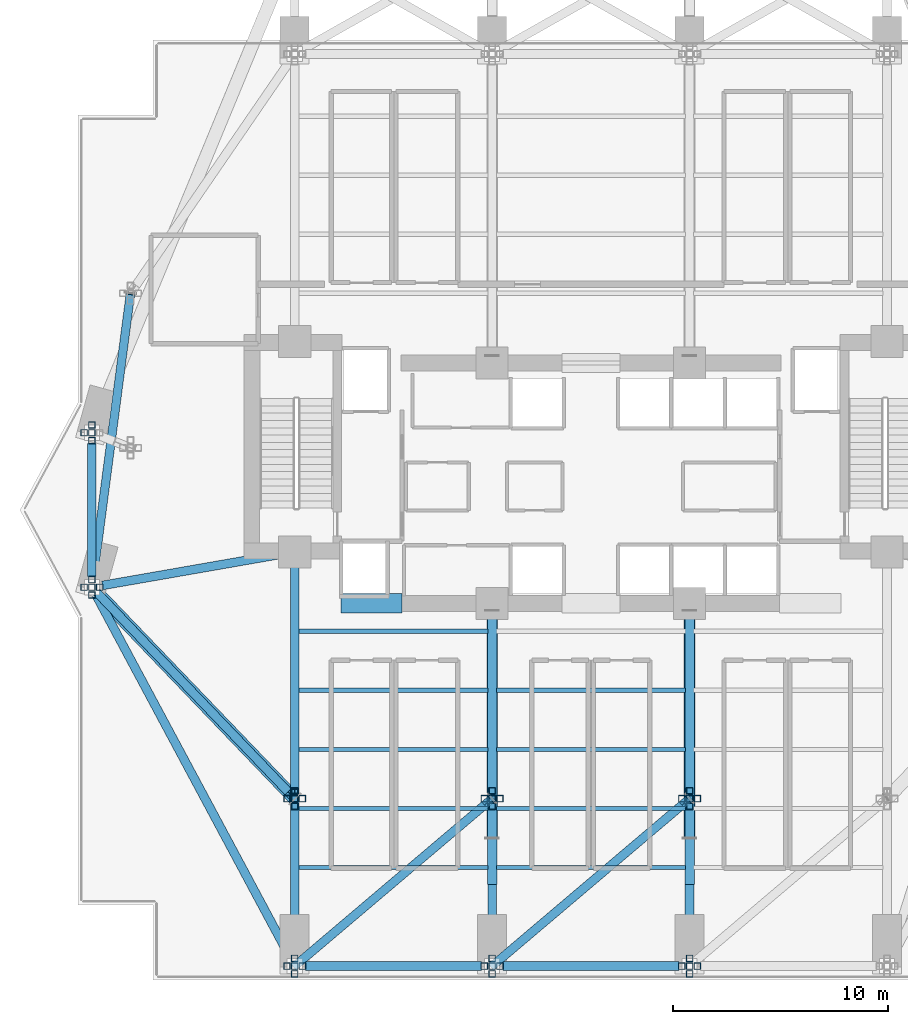
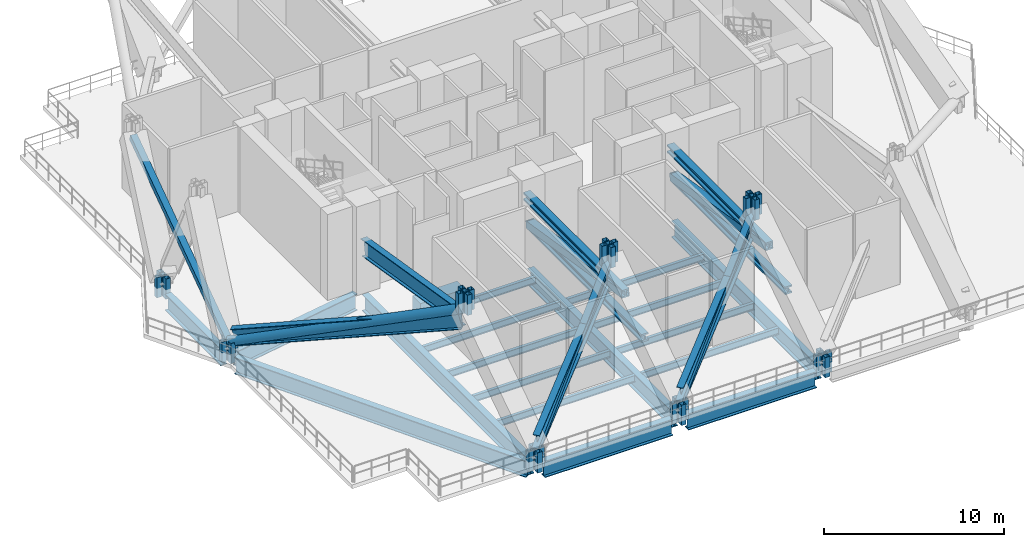
# One storey, part 2 of 18: 49 members, 22 beams.
"""IFC4 building model written with IfcOpenShell, lengths in metres."""

from ifc_helpers import new_model, si_unit, direction, frame, origin, origin_2d, place, context, subcontext, project, spatial, rectangle, hollow_rectangle, hollow_circle, i_section, extrude, material, material_profile, profile_set, type_object, element, save


model = new_model("IFC4")

# Units and contexts
model_context = context("Model", 3, precision=1e-05, world=origin(), true_north=direction((0.0, 1.0)))
body_context = subcontext(model_context, "Body", "Model", "MODEL_VIEW")
ifc_project = project(units=[si_unit("LENGTHUNIT", "METRE"), si_unit("AREAUNIT", "SQUARE_METRE"), si_unit("VOLUMEUNIT", "CUBIC_METRE"), si_unit("PLANEANGLEUNIT", "RADIAN"), si_unit("MASSUNIT", "GRAM", prefix="KILO")], contexts=[model_context])

# Site, building, storey
site_placement = place(None, origin())
site = spatial("IfcSite", under=ifc_project, at=site_placement, CompositionType="ELEMENT")
building_placement = place(site_placement, origin())
building = spatial("IfcBuilding", under=site, at=building_placement, Name="Zuhayl Quay Hotel", CompositionType="ELEMENT")
storey_placement = place(building_placement, frame((0.0, 0.0, 162.199951171875)))
storey = spatial("IfcBuildingStorey", under=building, at=storey_placement, Name="L41", CompositionType="ELEMENT", Elevation=162.199951171875)

# Beams
ifc_material_1 = material(Name="Concrete C60/75", Category="concrete")
ifc_material_profile_1 = material_profile(ifc_material_1, rectangle(XDim=0.89990234375, YDim=1.39990234375, at=origin_2d()), Name="RC900X1400")
ifc_profile_set_1 = profile_set([ifc_material_profile_1], Name="Concrete C60/75")
beam_type_1 = type_object("IfcBeamType", Name="BM_CB1_RC900", PredefinedType="T_BEAM", material=ifc_profile_set_1)
beam_1_placement = place(storey_placement, frame((-11.64990234375, 2.14990234375, -0.9599609375), z_axis=(1.0, 0.0, 0.0), x_axis=(0.0, 1.0, 0.0)))
element("IfcBeam", 1, at=beam_1_placement, inside=storey, type_object=beam_type_1, Name="L41 Core Coupling Beam SW", PredefinedType="T_BEAM", context=body_context, shape_type="SweptSolid", body=[
    extrude(rectangle(XDim=0.89990234375, YDim=1.39990234375, at=origin_2d()), origin(), (0.0, 0.0, 1.0), 2.849853515625),
])
ifc_material_2 = material(Name="Steel ASTM A992 Grade 50", Category="steel")
ifc_material_profile_2 = material_profile(ifc_material_2, i_section(OverallWidth=0.18994140625, OverallDepth=0.45703125, WebThickness=0.009033203125, FlangeThickness=0.014404296875, at=origin_2d()), Name="W18X50")
ifc_profile_set_2 = profile_set([ifc_material_profile_2], Name="Steel ASTM A992 Grade 50")
beam_type_2 = type_object("IfcBeamType", Name="BM_J2_W18X50", PredefinedType="JOIST", material=ifc_profile_set_2)
for number, where, z_axis, x_axis, name in (
    (2, (-13.60595703125, -10.14990234375, -0.488525390625), (1.0, 0.0, 0.0), (0.0, 1.0, 0.0), "L41 Floor Beam FJ_L41_5_1"),
    (3, (-4.406005859375, -10.14990234375, -0.488525390625), (1.0, 0.0, 0.0), (0.0, 1.0, 0.0), "L41 Floor Beam FJ_L41_5_2"),
    (4, (-13.60595703125, -7.39990234375, -0.488525390625), (1.0, 0.0, 0.0), (0.0, 1.0, 0.0), "L41 Floor Beam FJ_L41_6_1"),
    (5, (-4.406005859375, -7.39990234375, -0.488525390625), (1.0, 0.0, 0.0), (0.0, 1.0, 0.0), "L41 Floor Beam FJ_L41_6_2"),
    (6, (-13.60595703125, -4.64990234375, -0.488525390625), (1.0, 0.0, 0.0), (0.0, 1.0, 0.0), "L41 Floor Beam FJ_L41_7_1"),
    (7, (-4.406005859375, -4.64990234375, -0.488525390625), (1.0, 0.0, 0.0), (0.0, 1.0, 0.0), "L41 Floor Beam FJ_L41_7_2"),
    (8, (-13.60595703125, -1.89990234375, -0.488525390625), (1.0, 0.0, 0.0), (0.0, 1.0, 0.0), "L41 Floor Beam FJ_L41_8_1"),
    (9, (-4.406005859375, -1.89990234375, -0.488525390625), (1.0, 0.0, 0.0), (0.0, 1.0, 0.0), "L41 Floor Beam FJ_L41_8_2"),
    (10, (-13.60595703125, 0.85009765625, -0.488525390625), (1.0, 0.0, 0.0), (0.0, 1.0, 0.0), "L41 Floor Beam FJ_L41_9_1"),
):
    element("IfcBeam", number, at=place(storey_placement, frame(where, z_axis=z_axis, x_axis=x_axis)), inside=storey, type_object=beam_type_2, Name=name, PredefinedType="JOIST", context=body_context, shape_type="SweptSolid", body=[
        extrude(i_section(OverallWidth=0.18994140625, OverallDepth=0.45703125, WebThickness=0.009033203125, FlangeThickness=0.014404296875, at=origin_2d()), origin(), (0.0, 0.0, 1.0), 8.81201171875),
    ])
ifc_material_3 = material(Name="Steel ASTM A913 Grade 65", Category="steel")
ifc_material_profile_3 = material_profile(ifc_material_3, i_section(OverallWidth=0.404052734375, OverallDepth=1.117919921875, WebThickness=0.026123046875, FlangeThickness=0.044921875, at=origin_2d()), Name="W44X335")
ifc_profile_set_3 = profile_set([ifc_material_profile_3], Name="Steel ASTM A913 Grade 65")
beam_type_3 = type_object("IfcBeamType", Name="BM_TG1_W44X335", PredefinedType="BEAM", material=ifc_profile_set_3)
beam_2_placement = place(storey_placement, frame((-13.300048828125, -14.75, -0.81884765625), z_axis=(1.0, 0.0, 0.0), x_axis=(0.0, 1.0, 0.0)))
element("IfcBeam", 11, at=beam_2_placement, inside=storey, type_object=beam_type_3, Name="L41 Floor Beam RG_L41_01", PredefinedType="BEAM", context=body_context, shape_type="SweptSolid", body=[
    extrude(i_section(OverallWidth=0.404052734375, OverallDepth=1.117919921875, WebThickness=0.026123046875, FlangeThickness=0.044921875, at=origin_2d()), origin(), (0.0, 0.0, 1.0), 8.199951171875),
])
beam_3_placement = place(storey_placement, frame((-4.10009765625, -14.75, -0.81884765625), z_axis=(1.0, 0.0, 0.0), x_axis=(0.0, 1.0, 0.0)))
element("IfcBeam", 12, at=beam_3_placement, inside=storey, type_object=beam_type_3, Name="L41 Floor Beam RG_L41_02", PredefinedType="BEAM", context=body_context, shape_type="SweptSolid", body=[
    extrude(i_section(OverallWidth=0.404052734375, OverallDepth=1.117919921875, WebThickness=0.026123046875, FlangeThickness=0.044921875, at=origin_2d()), origin(), (0.0, 0.0, 1.0), 8.2001953125),
])
beam_4_placement = place(storey_placement, frame((-23.25, 9.60009765625, -0.81884765625), z_axis=(0.0, -1.0, 0.0), x_axis=(1.0, 0.0, 0.0)))
element("IfcBeam", 13, at=beam_4_placement, inside=storey, type_object=beam_type_3, Name="L41 Floor Beam RG_L41_11", PredefinedType="BEAM", context=body_context, shape_type="SweptSolid", body=[
    extrude(i_section(OverallWidth=0.404052734375, OverallDepth=1.117919921875, WebThickness=0.026123046875, FlangeThickness=0.044921875, at=origin_2d()), origin(), (0.0, 0.0, 1.0), 6.2001953125),
])
beam_5_placement = place(storey_placement, frame((-23.013916015625, 2.459228515625, -0.81884765625), z_axis=(0.472017301959, -0.88158928456, 0.0), x_axis=(0.88158928456, 0.472017301959, 0.0)))
element("IfcBeam", 14, at=beam_5_placement, inside=storey, type_object=beam_type_3, Name="L41 Floor Beam RG_L41_12", PredefinedType="BEAM", context=body_context, shape_type="SweptSolid", body=[
    extrude(i_section(OverallWidth=0.404052734375, OverallDepth=1.117919921875, WebThickness=0.026123046875, FlangeThickness=0.044921875, at=origin_2d()), origin(), (0.0, 0.0, 1.0), 19.0205078125),
])
for number, where, z_axis, x_axis, name in (
    (15, (-13.5712890625, -14.555908203125, 0.949951171875), (0.726430416424, 0.6158703402, 0.304963234106), (-0.646675283419, 0.762765414669, 0.0), "L41 Wind-Floor Inclined Belt Girder 01"),
    (16, (-4.37109375, -14.555908203125, 0.949951171875), (0.726420835038, 0.615879416078, 0.304967728249), (-0.646685790463, 0.762756506634, 0.0), "L41 Wind-Floor Inclined Belt Girder 02"),
):
    element("IfcBeam", number, at=place(storey_placement, frame(where, z_axis=z_axis, x_axis=x_axis)), inside=storey, type_object=beam_type_3, Name=name, PredefinedType="BEAM", context=body_context, shape_type="SweptSolid", body=[
        extrude(i_section(OverallWidth=0.404052734375, OverallDepth=1.117919921875, WebThickness=0.026123046875, FlangeThickness=0.044921875, at=origin_2d()), origin(), (0.0, 0.0, 1.0), 12.03466796875),
    ])
beam_6_placement = place(storey_placement, frame((-23.042236328125, 2.68359375, 0.949951171875), z_axis=(0.666441995473, -0.694662900942, 0.270736995486), x_axis=(0.72161271585, 0.692296965416, 0.0)))
element("IfcBeam", 17, at=beam_6_placement, inside=storey, type_object=beam_type_3, Name="L41 Wind-Floor Inclined Belt Girder 12", PredefinedType="BEAM", context=body_context, shape_type="SweptSolid", body=[
    extrude(i_section(OverallWidth=0.404052734375, OverallDepth=1.117919921875, WebThickness=0.026123046875, FlangeThickness=0.044921875, at=origin_2d()), origin(), (0.0, 0.0, 1.0), 13.55615234375),
])
beam_7_placement = place(storey_placement, frame((-13.800048828125, 4.199951171875, 2.85009765625), z_axis=(0.0, -0.986834670064, 0.161732291023), x_axis=(1.0, 0.0, 0.0)))
element("IfcBeam", 18, at=beam_7_placement, inside=storey, type_object=beam_type_3, Name="L41 Wind-Floor Inclined Outrigger Girder 3", PredefinedType="BEAM", context=body_context, shape_type="SweptSolid", body=[
    extrude(i_section(OverallWidth=0.404052734375, OverallDepth=1.117919921875, WebThickness=0.026123046875, FlangeThickness=0.044921875, at=origin_2d()), origin(), (0.0, 0.0, 1.0), 10.944091796875),
])
beam_8_placement = place(storey_placement, frame((-13.800048828125, -14.25, -0.81884765625), z_axis=(0.0, 1.0, 0.0), x_axis=(-1.0, 0.0, 0.0)))
element("IfcBeam", 19, at=beam_8_placement, inside=storey, type_object=beam_type_3, Name="L41 Floor Beam FG_S_L41_1", PredefinedType="BEAM", context=body_context, shape_type="SweptSolid", body=[
    extrude(i_section(OverallWidth=0.404052734375, OverallDepth=1.117919921875, WebThickness=0.026123046875, FlangeThickness=0.044921875, at=origin_2d()), origin(), (0.0, 0.0, 1.0), 18.35009765625),
])
for number, where, z_axis, x_axis, name in (
    (20, (-4.60009765625, -14.25, -0.81884765625), (0.0, 1.0, 0.0), (-1.0, 0.0, 0.0), "L41 Floor Beam FG_S_L41_2"),
    (21, (4.60009765625, -14.25, -0.81884765625), (0.0, 1.0, 0.0), (-1.0, 0.0, 0.0), "L41 Floor Beam FG_S_L41_3"),
):
    element("IfcBeam", number, at=place(storey_placement, frame(where, z_axis=z_axis, x_axis=x_axis)), inside=storey, type_object=beam_type_3, Name=name, PredefinedType="BEAM", context=body_context, shape_type="SweptSolid", body=[
        extrude(i_section(OverallWidth=0.404052734375, OverallDepth=1.117919921875, WebThickness=0.026123046875, FlangeThickness=0.044921875, at=origin_2d()), origin(), (0.0, 0.0, 1.0), 15.949951171875),
    ])
beam_9_placement = place(storey_placement, frame((-22.757568359375, 2.986083984375, -0.81884765625), z_axis=(0.985097302632, 0.171997977741, 0.0), x_axis=(-0.171997977741, 0.985097302632, 0.0)))
element("IfcBeam", 22, at=beam_9_placement, inside=storey, type_object=beam_type_3, Name="L41 Floor Beam FG_W_L41_1", PredefinedType="BEAM", context=body_context, shape_type="SweptSolid", body=[
    extrude(i_section(OverallWidth=0.404052734375, OverallDepth=1.117919921875, WebThickness=0.026123046875, FlangeThickness=0.044921875, at=origin_2d()), origin(), (0.0, 0.0, 1.0), 8.64306640625),
])

# Members
ifc_material_4 = material(Name="Steel ASTM A500 Grade C", Category="steel")
ifc_material_profile_4 = material_profile(ifc_material_4, hollow_rectangle(XDim=0.39990234375, YDim=0.39990234375, WallThickness=0.01611328125, at=origin_2d()), Name="HSS400X400X16")
ifc_profile_set_4 = profile_set([ifc_material_profile_4], Name="Steel ASTM A500 Grade C")
member_type_1 = type_object("IfcMemberType", Name="MB_BT_DIAG_HSS400", PredefinedType="BRACE", material=ifc_profile_set_4)
member_1_placement = place(storey_placement, frame((-13.800048828125, -14.75, 0.550048828125), z_axis=(0.706667118343, 0.599137748161, 0.37637154858), x_axis=(-0.646689603757, 0.762753273604, 0.0)))
element("IfcMember", 23, at=member_1_placement, inside=storey, type_object=member_type_1, Name="L41 Belt Truss BT2 Diagonal S12", PredefinedType="BRACE", context=body_context, shape_type="SweptSolid", body=[
    extrude(hollow_rectangle(XDim=0.39990234375, YDim=0.39990234375, WallThickness=0.01611328125, at=origin_2d()), origin(), (0.0, 0.0, 1.0), 13.018798828125),
])
member_2_placement = place(storey_placement, frame((-4.60009765625, -14.75, 0.550048828125), z_axis=(0.706676506284, 0.599129808388, 0.376366560905), x_axis=(-0.646679619534, 0.762761738474, 0.0)))
element("IfcMember", 24, at=member_2_placement, inside=storey, type_object=member_type_1, Name="L41 Belt Truss BT2 Diagonal S23", PredefinedType="BRACE", context=body_context, shape_type="SweptSolid", body=[
    extrude(hollow_rectangle(XDim=0.39990234375, YDim=0.39990234375, WallThickness=0.01611328125, at=origin_2d()), origin(), (0.0, 0.0, 1.0), 13.01904296875),
])
member_3_placement = place(storey_placement, frame((-23.25, 2.89990234375, 0.550048828125), z_axis=(0.122778139031, 0.934466031444, 0.334213651206), x_axis=(-0.991478693976, 0.130268950222, 0.0)))
element("IfcMember", 25, at=member_3_placement, inside=storey, type_object=member_type_1, Name="L41 Belt Truss BT2 Diagonal W12", PredefinedType="BRACE", context=body_context, shape_type="SweptSolid", body=[
    extrude(hollow_rectangle(XDim=0.39990234375, YDim=0.39990234375, WallThickness=0.01611328125, at=origin_2d()), origin(), (0.0, 0.0, 1.0), 14.660888671875),
])
ifc_material_profile_5 = material_profile(ifc_material_4, hollow_rectangle(XDim=0.300048828125, YDim=0.300048828125, WallThickness=0.012451171875, at=origin_2d()), Name="HSS300X300X12")
ifc_profile_set_5 = profile_set([ifc_material_profile_5], Name="Steel ASTM A500 Grade C")
member_type_2 = type_object("IfcMemberType", Name="MB_CR_BRACE_HSS300", PredefinedType="BRACE", material=ifc_profile_set_5)
member_4_placement = place(storey_placement, frame((-13.800048828125, -14.75, -0.64990234375), z_axis=(0.0, 0.0, 1.0), x_axis=(1.0, 0.0, 0.0)))
element("IfcMember", 26, at=member_4_placement, inside=storey, type_object=member_type_2, Name="L41 Mega-Column Lower Knuckle Leg MC_S1-1", PredefinedType="STRUT", context=body_context, shape_type="SweptSolid", body=[
    extrude(hollow_rectangle(XDim=0.300048828125, YDim=0.300048828125, WallThickness=0.012451171875, at=origin_2d()), origin(), (0.0, 0.0, 1.0), 1.369873046875),
])
member_5_placement = place(storey_placement, frame((-13.800048828125, -6.949951171875, 5.280029296875), z_axis=(0.0, 0.0, 1.0), x_axis=(1.0, 0.0, 0.0)))
element("IfcMember", 27, at=member_5_placement, inside=storey, type_object=member_type_2, Name="L41 Mega-Column Upper Knuckle Leg MC_S1-1", PredefinedType="STRUT", context=body_context, shape_type="SweptSolid", body=[
    extrude(hollow_rectangle(XDim=0.300048828125, YDim=0.300048828125, WallThickness=0.012451171875, at=origin_2d()), origin(), (0.0, 0.0, 1.0), 1.3701171875),
])
member_6_placement = place(storey_placement, frame((-13.800048828125, -14.389892578125, -0.64990234375), z_axis=(0.0, 0.0, 1.0), x_axis=(1.0, 0.0, 0.0)))
element("IfcMember", 28, at=member_6_placement, inside=storey, type_object=member_type_2, Name="L41 Mega-Column Lower Knuckle Leg MC_S1-2", PredefinedType="STRUT", context=body_context, shape_type="SweptSolid", body=[
    extrude(hollow_rectangle(XDim=0.300048828125, YDim=0.300048828125, WallThickness=0.012451171875, at=origin_2d()), origin(), (0.0, 0.0, 1.0), 1.369873046875),
])
member_7_placement = place(storey_placement, frame((-13.800048828125, -6.590087890625, 5.280029296875), z_axis=(0.0, 0.0, 1.0), x_axis=(1.0, 0.0, 0.0)))
element("IfcMember", 29, at=member_7_placement, inside=storey, type_object=member_type_2, Name="L41 Mega-Column Upper Knuckle Leg MC_S1-2", PredefinedType="STRUT", context=body_context, shape_type="SweptSolid", body=[
    extrude(hollow_rectangle(XDim=0.300048828125, YDim=0.300048828125, WallThickness=0.012451171875, at=origin_2d()), origin(), (0.0, 0.0, 1.0), 1.3701171875),
])
member_8_placement = place(storey_placement, frame((-13.800048828125, -15.110107421875, -0.64990234375), z_axis=(0.0, 0.0, 1.0), x_axis=(1.0, 0.0, 0.0)))
element("IfcMember", 30, at=member_8_placement, inside=storey, type_object=member_type_2, Name="L41 Mega-Column Lower Knuckle Leg MC_S1-3", PredefinedType="STRUT", context=body_context, shape_type="SweptSolid", body=[
    extrude(hollow_rectangle(XDim=0.300048828125, YDim=0.300048828125, WallThickness=0.012451171875, at=origin_2d()), origin(), (0.0, 0.0, 1.0), 1.369873046875),
])
member_9_placement = place(storey_placement, frame((-13.800048828125, -7.31005859375, 5.280029296875), z_axis=(0.0, 0.0, 1.0), x_axis=(1.0, 0.0, 0.0)))
element("IfcMember", 31, at=member_9_placement, inside=storey, type_object=member_type_2, Name="L41 Mega-Column Upper Knuckle Leg MC_S1-3", PredefinedType="STRUT", context=body_context, shape_type="SweptSolid", body=[
    extrude(hollow_rectangle(XDim=0.300048828125, YDim=0.300048828125, WallThickness=0.012451171875, at=origin_2d()), origin(), (0.0, 0.0, 1.0), 1.3701171875),
])
member_10_placement = place(storey_placement, frame((-13.43994140625, -14.75, -0.64990234375), z_axis=(0.0, 0.0, 1.0), x_axis=(1.0, 0.0, 0.0)))
element("IfcMember", 32, at=member_10_placement, inside=storey, type_object=member_type_2, Name="L41 Mega-Column Lower Knuckle Leg MC_S1-4", PredefinedType="STRUT", context=body_context, shape_type="SweptSolid", body=[
    extrude(hollow_rectangle(XDim=0.300048828125, YDim=0.300048828125, WallThickness=0.012451171875, at=origin_2d()), origin(), (0.0, 0.0, 1.0), 1.369873046875),
])
member_11_placement = place(storey_placement, frame((-13.43994140625, -6.949951171875, 5.280029296875), z_axis=(0.0, 0.0, 1.0), x_axis=(1.0, 0.0, 0.0)))
element("IfcMember", 33, at=member_11_placement, inside=storey, type_object=member_type_2, Name="L41 Mega-Column Upper Knuckle Leg MC_S1-4", PredefinedType="STRUT", context=body_context, shape_type="SweptSolid", body=[
    extrude(hollow_rectangle(XDim=0.300048828125, YDim=0.300048828125, WallThickness=0.012451171875, at=origin_2d()), origin(), (0.0, 0.0, 1.0), 1.3701171875),
])
member_12_placement = place(storey_placement, frame((-14.159912109375, -14.75, -0.64990234375), z_axis=(0.0, 0.0, 1.0), x_axis=(1.0, 0.0, 0.0)))
element("IfcMember", 34, at=member_12_placement, inside=storey, type_object=member_type_2, Name="L41 Mega-Column Lower Knuckle Leg MC_S1-5", PredefinedType="STRUT", context=body_context, shape_type="SweptSolid", body=[
    extrude(hollow_rectangle(XDim=0.300048828125, YDim=0.300048828125, WallThickness=0.012451171875, at=origin_2d()), origin(), (0.0, 0.0, 1.0), 1.369873046875),
])
member_13_placement = place(storey_placement, frame((-14.159912109375, -6.949951171875, 5.280029296875), z_axis=(0.0, 0.0, 1.0), x_axis=(1.0, 0.0, 0.0)))
element("IfcMember", 35, at=member_13_placement, inside=storey, type_object=member_type_2, Name="L41 Mega-Column Upper Knuckle Leg MC_S1-5", PredefinedType="STRUT", context=body_context, shape_type="SweptSolid", body=[
    extrude(hollow_rectangle(XDim=0.300048828125, YDim=0.300048828125, WallThickness=0.012451171875, at=origin_2d()), origin(), (0.0, 0.0, 1.0), 1.3701171875),
])
member_14_placement = place(storey_placement, frame((-4.60009765625, -14.75, -0.64990234375), z_axis=(0.0, 0.0, 1.0), x_axis=(1.0, 0.0, 0.0)))
element("IfcMember", 36, at=member_14_placement, inside=storey, type_object=member_type_2, Name="L41 Mega-Column Lower Knuckle Leg MC_S2-1", PredefinedType="STRUT", context=body_context, shape_type="SweptSolid", body=[
    extrude(hollow_rectangle(XDim=0.300048828125, YDim=0.300048828125, WallThickness=0.012451171875, at=origin_2d()), origin(), (0.0, 0.0, 1.0), 1.369873046875),
])
member_15_placement = place(storey_placement, frame((-4.60009765625, -6.949951171875, 5.280029296875), z_axis=(0.0, 0.0, 1.0), x_axis=(1.0, 0.0, 0.0)))
element("IfcMember", 37, at=member_15_placement, inside=storey, type_object=member_type_2, Name="L41 Mega-Column Upper Knuckle Leg MC_S2-1", PredefinedType="STRUT", context=body_context, shape_type="SweptSolid", body=[
    extrude(hollow_rectangle(XDim=0.300048828125, YDim=0.300048828125, WallThickness=0.012451171875, at=origin_2d()), origin(), (0.0, 0.0, 1.0), 1.3701171875),
])
member_16_placement = place(storey_placement, frame((-4.60009765625, -14.389892578125, -0.64990234375), z_axis=(0.0, 0.0, 1.0), x_axis=(1.0, 0.0, 0.0)))
element("IfcMember", 38, at=member_16_placement, inside=storey, type_object=member_type_2, Name="L41 Mega-Column Lower Knuckle Leg MC_S2-2", PredefinedType="STRUT", context=body_context, shape_type="SweptSolid", body=[
    extrude(hollow_rectangle(XDim=0.300048828125, YDim=0.300048828125, WallThickness=0.012451171875, at=origin_2d()), origin(), (0.0, 0.0, 1.0), 1.369873046875),
])
member_17_placement = place(storey_placement, frame((-4.60009765625, -6.590087890625, 5.280029296875), z_axis=(0.0, 0.0, 1.0), x_axis=(1.0, 0.0, 0.0)))
element("IfcMember", 39, at=member_17_placement, inside=storey, type_object=member_type_2, Name="L41 Mega-Column Upper Knuckle Leg MC_S2-2", PredefinedType="STRUT", context=body_context, shape_type="SweptSolid", body=[
    extrude(hollow_rectangle(XDim=0.300048828125, YDim=0.300048828125, WallThickness=0.012451171875, at=origin_2d()), origin(), (0.0, 0.0, 1.0), 1.3701171875),
])
member_18_placement = place(storey_placement, frame((-4.60009765625, -15.110107421875, -0.64990234375), z_axis=(0.0, 0.0, 1.0), x_axis=(1.0, 0.0, 0.0)))
element("IfcMember", 40, at=member_18_placement, inside=storey, type_object=member_type_2, Name="L41 Mega-Column Lower Knuckle Leg MC_S2-3", PredefinedType="STRUT", context=body_context, shape_type="SweptSolid", body=[
    extrude(hollow_rectangle(XDim=0.300048828125, YDim=0.300048828125, WallThickness=0.012451171875, at=origin_2d()), origin(), (0.0, 0.0, 1.0), 1.369873046875),
])
member_19_placement = place(storey_placement, frame((-4.60009765625, -7.31005859375, 5.280029296875), z_axis=(0.0, 0.0, 1.0), x_axis=(1.0, 0.0, 0.0)))
element("IfcMember", 41, at=member_19_placement, inside=storey, type_object=member_type_2, Name="L41 Mega-Column Upper Knuckle Leg MC_S2-3", PredefinedType="STRUT", context=body_context, shape_type="SweptSolid", body=[
    extrude(hollow_rectangle(XDim=0.300048828125, YDim=0.300048828125, WallThickness=0.012451171875, at=origin_2d()), origin(), (0.0, 0.0, 1.0), 1.3701171875),
])
member_20_placement = place(storey_placement, frame((-4.239990234375, -14.75, -0.64990234375), z_axis=(0.0, 0.0, 1.0), x_axis=(1.0, 0.0, 0.0)))
element("IfcMember", 42, at=member_20_placement, inside=storey, type_object=member_type_2, Name="L41 Mega-Column Lower Knuckle Leg MC_S2-4", PredefinedType="STRUT", context=body_context, shape_type="SweptSolid", body=[
    extrude(hollow_rectangle(XDim=0.300048828125, YDim=0.300048828125, WallThickness=0.012451171875, at=origin_2d()), origin(), (0.0, 0.0, 1.0), 1.369873046875),
])
member_21_placement = place(storey_placement, frame((-4.239990234375, -6.949951171875, 5.280029296875), z_axis=(0.0, 0.0, 1.0), x_axis=(1.0, 0.0, 0.0)))
element("IfcMember", 43, at=member_21_placement, inside=storey, type_object=member_type_2, Name="L41 Mega-Column Upper Knuckle Leg MC_S2-4", PredefinedType="STRUT", context=body_context, shape_type="SweptSolid", body=[
    extrude(hollow_rectangle(XDim=0.300048828125, YDim=0.300048828125, WallThickness=0.012451171875, at=origin_2d()), origin(), (0.0, 0.0, 1.0), 1.3701171875),
])
member_22_placement = place(storey_placement, frame((-4.9599609375, -14.75, -0.64990234375), z_axis=(0.0, 0.0, 1.0), x_axis=(1.0, 0.0, 0.0)))
element("IfcMember", 44, at=member_22_placement, inside=storey, type_object=member_type_2, Name="L41 Mega-Column Lower Knuckle Leg MC_S2-5", PredefinedType="STRUT", context=body_context, shape_type="SweptSolid", body=[
    extrude(hollow_rectangle(XDim=0.300048828125, YDim=0.300048828125, WallThickness=0.012451171875, at=origin_2d()), origin(), (0.0, 0.0, 1.0), 1.369873046875),
])
member_23_placement = place(storey_placement, frame((-4.9599609375, -6.949951171875, 5.280029296875), z_axis=(0.0, 0.0, 1.0), x_axis=(1.0, 0.0, 0.0)))
element("IfcMember", 45, at=member_23_placement, inside=storey, type_object=member_type_2, Name="L41 Mega-Column Upper Knuckle Leg MC_S2-5", PredefinedType="STRUT", context=body_context, shape_type="SweptSolid", body=[
    extrude(hollow_rectangle(XDim=0.300048828125, YDim=0.300048828125, WallThickness=0.012451171875, at=origin_2d()), origin(), (0.0, 0.0, 1.0), 1.3701171875),
])
member_24_placement = place(storey_placement, frame((4.60009765625, -14.75, -0.64990234375), z_axis=(0.0, 0.0, 1.0), x_axis=(1.0, 0.0, 0.0)))
element("IfcMember", 46, at=member_24_placement, inside=storey, type_object=member_type_2, Name="L41 Mega-Column Lower Knuckle Leg MC_S3-1", PredefinedType="STRUT", context=body_context, shape_type="SweptSolid", body=[
    extrude(hollow_rectangle(XDim=0.300048828125, YDim=0.300048828125, WallThickness=0.012451171875, at=origin_2d()), origin(), (0.0, 0.0, 1.0), 1.369873046875),
])
member_25_placement = place(storey_placement, frame((4.60009765625, -6.949951171875, 5.280029296875), z_axis=(0.0, 0.0, 1.0), x_axis=(1.0, 0.0, 0.0)))
element("IfcMember", 47, at=member_25_placement, inside=storey, type_object=member_type_2, Name="L41 Mega-Column Upper Knuckle Leg MC_S3-1", PredefinedType="STRUT", context=body_context, shape_type="SweptSolid", body=[
    extrude(hollow_rectangle(XDim=0.300048828125, YDim=0.300048828125, WallThickness=0.012451171875, at=origin_2d()), origin(), (0.0, 0.0, 1.0), 1.3701171875),
])
member_26_placement = place(storey_placement, frame((4.60009765625, -14.389892578125, -0.64990234375), z_axis=(0.0, 0.0, 1.0), x_axis=(1.0, 0.0, 0.0)))
element("IfcMember", 48, at=member_26_placement, inside=storey, type_object=member_type_2, Name="L41 Mega-Column Lower Knuckle Leg MC_S3-2", PredefinedType="STRUT", context=body_context, shape_type="SweptSolid", body=[
    extrude(hollow_rectangle(XDim=0.300048828125, YDim=0.300048828125, WallThickness=0.012451171875, at=origin_2d()), origin(), (0.0, 0.0, 1.0), 1.369873046875),
])
member_27_placement = place(storey_placement, frame((4.60009765625, -6.590087890625, 5.280029296875), z_axis=(0.0, 0.0, 1.0), x_axis=(1.0, 0.0, 0.0)))
element("IfcMember", 49, at=member_27_placement, inside=storey, type_object=member_type_2, Name="L41 Mega-Column Upper Knuckle Leg MC_S3-2", PredefinedType="STRUT", context=body_context, shape_type="SweptSolid", body=[
    extrude(hollow_rectangle(XDim=0.300048828125, YDim=0.300048828125, WallThickness=0.012451171875, at=origin_2d()), origin(), (0.0, 0.0, 1.0), 1.3701171875),
])
member_28_placement = place(storey_placement, frame((4.60009765625, -15.110107421875, -0.64990234375), z_axis=(0.0, 0.0, 1.0), x_axis=(1.0, 0.0, 0.0)))
element("IfcMember", 50, at=member_28_placement, inside=storey, type_object=member_type_2, Name="L41 Mega-Column Lower Knuckle Leg MC_S3-3", PredefinedType="STRUT", context=body_context, shape_type="SweptSolid", body=[
    extrude(hollow_rectangle(XDim=0.300048828125, YDim=0.300048828125, WallThickness=0.012451171875, at=origin_2d()), origin(), (0.0, 0.0, 1.0), 1.369873046875),
])
member_29_placement = place(storey_placement, frame((4.60009765625, -7.31005859375, 5.280029296875), z_axis=(0.0, 0.0, 1.0), x_axis=(1.0, 0.0, 0.0)))
element("IfcMember", 51, at=member_29_placement, inside=storey, type_object=member_type_2, Name="L41 Mega-Column Upper Knuckle Leg MC_S3-3", PredefinedType="STRUT", context=body_context, shape_type="SweptSolid", body=[
    extrude(hollow_rectangle(XDim=0.300048828125, YDim=0.300048828125, WallThickness=0.012451171875, at=origin_2d()), origin(), (0.0, 0.0, 1.0), 1.3701171875),
])
member_30_placement = place(storey_placement, frame((4.9599609375, -14.75, -0.64990234375), z_axis=(0.0, 0.0, 1.0), x_axis=(1.0, 0.0, 0.0)))
element("IfcMember", 52, at=member_30_placement, inside=storey, type_object=member_type_2, Name="L41 Mega-Column Lower Knuckle Leg MC_S3-4", PredefinedType="STRUT", context=body_context, shape_type="SweptSolid", body=[
    extrude(hollow_rectangle(XDim=0.300048828125, YDim=0.300048828125, WallThickness=0.012451171875, at=origin_2d()), origin(), (0.0, 0.0, 1.0), 1.369873046875),
])
member_31_placement = place(storey_placement, frame((4.9599609375, -6.949951171875, 5.280029296875), z_axis=(0.0, 0.0, 1.0), x_axis=(1.0, 0.0, 0.0)))
element("IfcMember", 53, at=member_31_placement, inside=storey, type_object=member_type_2, Name="L41 Mega-Column Upper Knuckle Leg MC_S3-4", PredefinedType="STRUT", context=body_context, shape_type="SweptSolid", body=[
    extrude(hollow_rectangle(XDim=0.300048828125, YDim=0.300048828125, WallThickness=0.012451171875, at=origin_2d()), origin(), (0.0, 0.0, 1.0), 1.3701171875),
])
member_32_placement = place(storey_placement, frame((4.239990234375, -14.75, -0.64990234375), z_axis=(0.0, 0.0, 1.0), x_axis=(1.0, 0.0, 0.0)))
element("IfcMember", 54, at=member_32_placement, inside=storey, type_object=member_type_2, Name="L41 Mega-Column Lower Knuckle Leg MC_S3-5", PredefinedType="STRUT", context=body_context, shape_type="SweptSolid", body=[
    extrude(hollow_rectangle(XDim=0.300048828125, YDim=0.300048828125, WallThickness=0.012451171875, at=origin_2d()), origin(), (0.0, 0.0, 1.0), 1.369873046875),
])
member_33_placement = place(storey_placement, frame((4.239990234375, -6.949951171875, 5.280029296875), z_axis=(0.0, 0.0, 1.0), x_axis=(1.0, 0.0, 0.0)))
element("IfcMember", 55, at=member_33_placement, inside=storey, type_object=member_type_2, Name="L41 Mega-Column Upper Knuckle Leg MC_S3-5", PredefinedType="STRUT", context=body_context, shape_type="SweptSolid", body=[
    extrude(hollow_rectangle(XDim=0.300048828125, YDim=0.300048828125, WallThickness=0.012451171875, at=origin_2d()), origin(), (0.0, 0.0, 1.0), 1.3701171875),
])
for number, where, z_axis, x_axis, name in (
    (56, (-23.25, 2.89990234375, -0.64990234375), (0.0, 0.0, 1.0), (1.0, 0.0, 0.0), "L41 Mega-Column Lower Knuckle Leg MC_W1-1"),
    (57, (-23.25, 3.260009765625, -0.64990234375), (0.0, 0.0, 1.0), (1.0, 0.0, 0.0), "L41 Mega-Column Lower Knuckle Leg MC_W1-2"),
    (58, (-23.25, 2.5400390625, -0.64990234375), (0.0, 0.0, 1.0), (1.0, 0.0, 0.0), "L41 Mega-Column Lower Knuckle Leg MC_W1-3"),
    (59, (-22.889892578125, 2.89990234375, -0.64990234375), (0.0, 0.0, 1.0), (1.0, 0.0, 0.0), "L41 Mega-Column Lower Knuckle Leg MC_W1-4"),
    (60, (-23.610107421875, 2.89990234375, -0.64990234375), (0.0, 0.0, 1.0), (1.0, 0.0, 0.0), "L41 Mega-Column Lower Knuckle Leg MC_W1-5"),
    (61, (-23.25, 10.10009765625, -0.64990234375), (0.0, 0.0, 1.0), (1.0, 0.0, 0.0), "L41 Mega-Column Lower Knuckle Leg MC_W2-1"),
    (62, (-23.25, 10.4599609375, -0.64990234375), (0.0, 0.0, 1.0), (1.0, 0.0, 0.0), "L41 Mega-Column Lower Knuckle Leg MC_W2-2"),
    (63, (-23.25, 9.739990234375, -0.64990234375), (0.0, 0.0, 1.0), (1.0, 0.0, 0.0), "L41 Mega-Column Lower Knuckle Leg MC_W2-3"),
    (64, (-23.610107421875, 10.10009765625, -0.64990234375), (0.0, 0.0, 1.0), (1.0, 0.0, 0.0), "L41 Mega-Column Lower Knuckle Leg MC_W2-5"),
):
    element("IfcMember", number, at=place(storey_placement, frame(where, z_axis=z_axis, x_axis=x_axis)), inside=storey, type_object=member_type_2, Name=name, PredefinedType="STRUT", context=body_context, shape_type="SweptSolid", body=[
        extrude(hollow_rectangle(XDim=0.300048828125, YDim=0.300048828125, WallThickness=0.012451171875, at=origin_2d()), origin(), (0.0, 0.0, 1.0), 1.369873046875),
    ])
ifc_material_profile_6 = material_profile(ifc_material_3, i_section(OverallWidth=0.44189453125, OverallDepth=0.531005859375, WebThickness=0.06591796875, FlangeThickness=0.105712890625, at=origin_2d()), Name="W14X605")
ifc_profile_set_6 = profile_set([ifc_material_profile_6], Name="Steel ASTM A913 Grade 65")
member_type_3 = type_object("IfcMemberType", Name="MB_OT_CHORD_605", PredefinedType="CHORD", material=ifc_profile_set_6)
member_34_placement = place(storey_placement, frame((-4.60009765625, -10.946044921875, 2.650146484375), z_axis=(0.0, 1.0, 0.0), x_axis=(-1.0, 0.0, 0.0)))
element("IfcMember", 65, at=member_34_placement, inside=storey, type_object=member_type_3, Name="L41 Outrigger Truss OT2 South Bottom Chord 1", PredefinedType="CHORD", context=body_context, shape_type="SweptSolid", body=[
    extrude(i_section(OverallWidth=0.44189453125, OverallDepth=0.531005859375, WebThickness=0.06591796875, FlangeThickness=0.105712890625, at=origin_2d()), origin(), (0.0, 0.0, 1.0), 12.74609375),
])
member_35_placement = place(storey_placement, frame((-4.60009765625, -8.8291015625, 4.35009765625), z_axis=(0.0, 1.0, 0.0), x_axis=(-1.0, 0.0, 0.0)))
element("IfcMember", 66, at=member_35_placement, inside=storey, type_object=member_type_3, Name="L41 Outrigger Truss OT2 South Top Chord 1", PredefinedType="CHORD", context=body_context, shape_type="SweptSolid", body=[
    extrude(i_section(OverallWidth=0.44189453125, OverallDepth=0.531005859375, WebThickness=0.06591796875, FlangeThickness=0.105712890625, at=origin_2d()), origin(), (0.0, 0.0, 1.0), 10.97900390625),
])
member_36_placement = place(storey_placement, frame((4.60009765625, -10.946044921875, 2.650146484375), z_axis=(0.0, 1.0, 0.0), x_axis=(-1.0, 0.0, 0.0)))
element("IfcMember", 67, at=member_36_placement, inside=storey, type_object=member_type_3, Name="L41 Outrigger Truss OT2 South Bottom Chord 2", PredefinedType="CHORD", context=body_context, shape_type="SweptSolid", body=[
    extrude(i_section(OverallWidth=0.44189453125, OverallDepth=0.531005859375, WebThickness=0.06591796875, FlangeThickness=0.105712890625, at=origin_2d()), origin(), (0.0, 0.0, 1.0), 12.74609375),
])
member_37_placement = place(storey_placement, frame((4.60009765625, -8.8291015625, 4.35009765625), z_axis=(0.0, 1.0, 0.0), x_axis=(-1.0, 0.0, 0.0)))
element("IfcMember", 68, at=member_37_placement, inside=storey, type_object=member_type_3, Name="L41 Outrigger Truss OT2 South Top Chord 2", PredefinedType="CHORD", context=body_context, shape_type="SweptSolid", body=[
    extrude(i_section(OverallWidth=0.44189453125, OverallDepth=0.531005859375, WebThickness=0.06591796875, FlangeThickness=0.105712890625, at=origin_2d()), origin(), (0.0, 0.0, 1.0), 10.97900390625),
])
ifc_material_profile_7 = material_profile(ifc_material_4, hollow_rectangle(XDim=0.5, YDim=0.5, WallThickness=0.02001953125, at=origin_2d()), Name="HSS500X500X20")
ifc_profile_set_7 = profile_set([ifc_material_profile_7], Name="Steel ASTM A500 Grade C")
member_type_4 = type_object("IfcMemberType", Name="MB_OT_DIAG_HSS500", PredefinedType="BRACE", material=ifc_profile_set_7)
for number, where, z_axis, x_axis, name in (
    (69, (-4.60009765625, 1.800048828125, 2.650146484375), (0.0, -0.987334195697, 0.158654297162), (1.0, 0.0, 0.0), "L41 Outrigger Truss OT2 South Diagonal 1"),
    (70, (4.60009765625, 1.800048828125, 2.650146484375), (0.0, -0.987334195697, 0.158654297162), (1.0, 0.0, 0.0), "L41 Outrigger Truss OT2 South Diagonal 2"),
):
    element("IfcMember", number, at=place(storey_placement, frame(where, z_axis=z_axis, x_axis=x_axis)), inside=storey, type_object=member_type_4, Name=name, PredefinedType="BRACE", context=body_context, shape_type="SweptSolid", body=[
        extrude(hollow_rectangle(XDim=0.5, YDim=0.5, WallThickness=0.02001953125, at=origin_2d()), origin(), (0.0, 0.0, 1.0), 10.71484375),
    ])
ifc_material_profile_8 = material_profile(ifc_material_4, hollow_circle(Radius=0.304931640625, WallThickness=0.02001953125, at=origin_2d()), Name="CHS610X20")
ifc_profile_set_8 = profile_set([ifc_material_profile_8], Name="Steel ASTM A500 Grade C")
member_type_5 = type_object("IfcMemberType", Name="MB_ST_CHS610", PredefinedType="STRUT", material=ifc_profile_set_8)
member_38_placement = place(storey_placement, frame((-23.25, 2.89990234375, 0.550048828125), z_axis=(0.651596453068, -0.679170664196, 0.337859839644), x_axis=(0.721603524123, 0.692306546245, 0.0)))
element("IfcMember", 71, at=member_38_placement, inside=storey, type_object=member_type_5, Name="L41 Wind-Floor Corner Mega-Strut SW", PredefinedType="STRUT", context=body_context, shape_type="SweptSolid", body=[
    extrude(hollow_circle(Radius=0.304931640625, WallThickness=0.02001953125, at=origin_2d()), origin(), (0.0, 0.0, 1.0), 14.502685546875),
])

save(model, "model.ifc")
